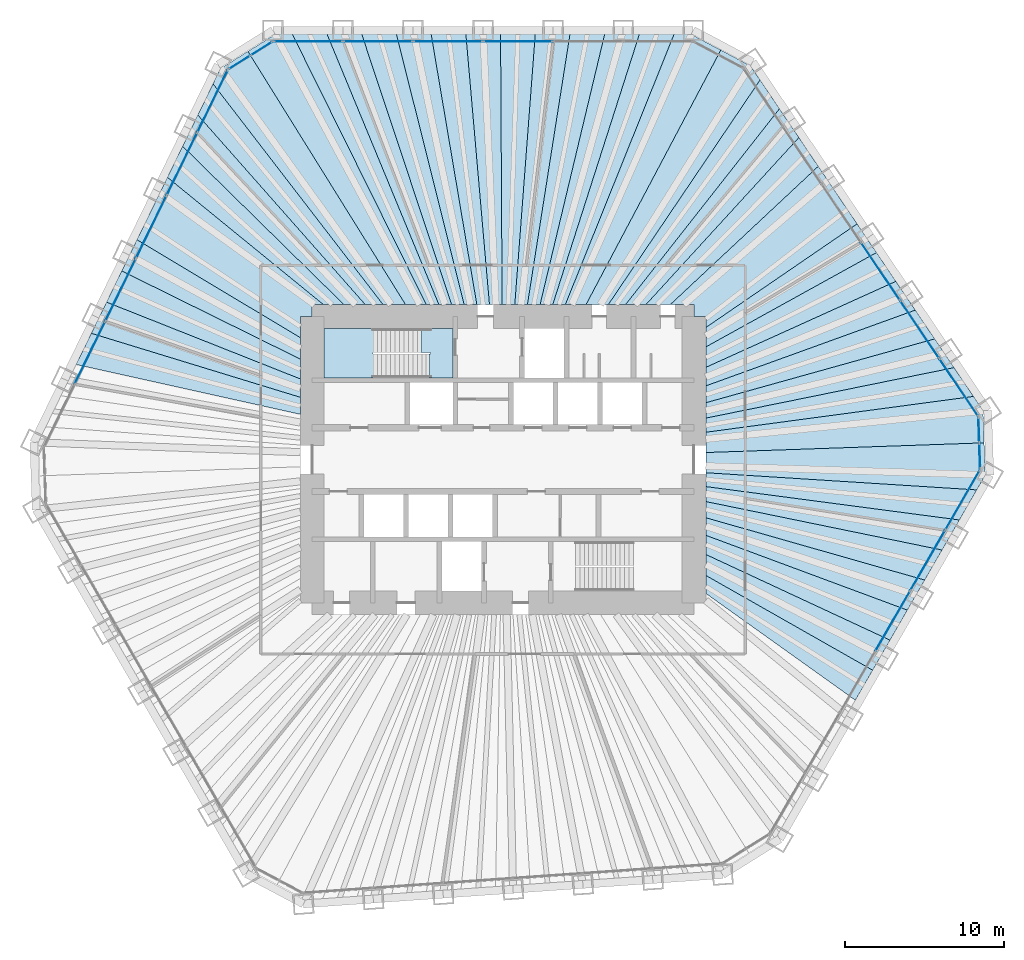
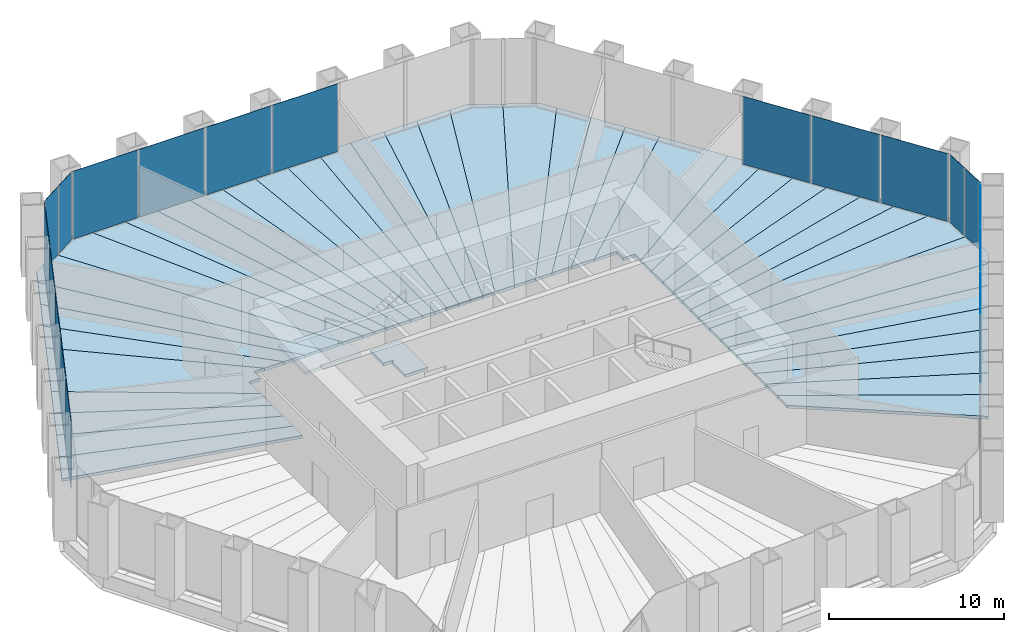
# One storey, part 9 of 13: 44 slabs, 19 plates, 7 elements without a shape of their own.
"""IFC4 building model written with IfcOpenShell, lengths in metres."""

from ifc_helpers import new_model, si_unit, direction, frame, origin, origin_2d, place, context, subcontext, project, spatial, polyline, rectangle, outline, extrude, material, layer, layer_set, type_object, element, aggregate, save


model = new_model("IFC4")

# Units and contexts
model_context = context("Model", 3, precision=1e-05, world=origin(), true_north=direction((0.0, 1.0)))
body_context = subcontext(model_context, "Body", "Model", "MODEL_VIEW")
ifc_project = project(units=[si_unit("LENGTHUNIT", "METRE"), si_unit("AREAUNIT", "SQUARE_METRE"), si_unit("VOLUMEUNIT", "CUBIC_METRE"), si_unit("PLANEANGLEUNIT", "RADIAN"), si_unit("MASSUNIT", "GRAM", prefix="KILO")], contexts=[model_context])

# Site, building, storey
site_placement = place(None, origin())
site = spatial("IfcSite", under=ifc_project, at=site_placement, CompositionType="ELEMENT")
building_placement = place(site_placement, origin())
building = spatial("IfcBuilding", under=site, at=building_placement, Name="Qingtian Harvest Tower", CompositionType="ELEMENT")
storey_placement = place(building_placement, frame((0.0, 0.0, 87.0)))
storey = spatial("IfcBuildingStorey", under=building, at=storey_placement, Name="L17", CompositionType="ELEMENT", Elevation=87.0)

# Slabs
ifc_material_1 = material(Name="Concrete fc' 35 MPa", Category="concrete")
ifc_layer_1 = layer(ifc_material_1, 0.199951171875)
ifc_layer_set_1 = layer_set([ifc_layer_1], Name="Composite floor slab FS20 200")
slab_type_1 = type_object("IfcSlabType", Name="Composite floor slab FS20 200", PredefinedType="FLOOR", material=ifc_layer_set_1)
slab_1_placement = place(storey_placement, frame((0.0, 0.0, -0.199951171875)))
element("IfcSlab", 1, at=slab_1_placement, inside=storey, type_object=slab_type_1, Name="Floor slab L17 panel D32", PredefinedType="FLOOR", context=body_context, shape_type="SweptSolid", body=[
    extrude(outline(polyline([(12.75, -7.279052734375), (23.247802734375, -13.243408203125), (22.159423828125, -15.128662109375), (12.75, -8.4091796875), (12.75, -7.279052734375)])), origin(), (0.0, 0.0, 1.0), 0.199951171875),
])
slab_2_placement = place(storey_placement, frame((0.0, 0.0, -0.199951171875)))
element("IfcSlab", 2, at=slab_2_placement, inside=storey, type_object=slab_type_1, Name="Floor slab L17 panel D33", PredefinedType="FLOOR", context=body_context, shape_type="SweptSolid", body=[
    extrude(outline(polyline([(12.75, -5.96142578125), (24.339111328125, -11.353515625), (23.247802734375, -13.243408203125), (12.75, -7.279052734375), (12.75, -5.96142578125)])), origin(), (0.0, 0.0, 1.0), 0.199951171875),
])
slab_3_placement = place(storey_placement, frame((0.0, 0.0, -0.199951171875)))
element("IfcSlab", 3, at=slab_3_placement, inside=storey, type_object=slab_type_1, Name="Floor slab L17 panel D34", PredefinedType="FLOOR", context=body_context, shape_type="SweptSolid", body=[
    extrude(outline(polyline([(12.75, -4.757080078125), (25.43017578125, -9.46337890625), (24.339111328125, -11.353515625), (12.75, -5.96142578125), (12.75, -4.757080078125)])), origin(), (0.0, 0.0, 1.0), 0.199951171875),
])
slab_4_placement = place(storey_placement, frame((0.0, 0.0, -0.199951171875)))
element("IfcSlab", 4, at=slab_4_placement, inside=storey, type_object=slab_type_1, Name="Floor slab L17 panel D35", PredefinedType="FLOOR", context=body_context, shape_type="SweptSolid", body=[
    extrude(outline(polyline([(12.75, -3.651611328125), (26.521484375, -7.573486328125), (25.43017578125, -9.46337890625), (12.75, -4.757080078125), (12.75, -3.651611328125)])), origin(), (0.0, 0.0, 1.0), 0.199951171875),
])
slab_5_placement = place(storey_placement, frame((0.0, 0.0, -0.199951171875)))
element("IfcSlab", 5, at=slab_5_placement, inside=storey, type_object=slab_type_1, Name="Floor slab L17 panel D36", PredefinedType="FLOOR", context=body_context, shape_type="SweptSolid", body=[
    extrude(outline(polyline([(12.75, -2.634033203125), (27.612548828125, -5.68359375), (26.521484375, -7.573486328125), (12.75, -3.651611328125), (12.75, -2.634033203125)])), origin(), (0.0, 0.0, 1.0), 0.199951171875),
])
slab_6_placement = place(storey_placement, frame((0.0, 0.0, -0.199951171875)))
element("IfcSlab", 6, at=slab_6_placement, inside=storey, type_object=slab_type_1, Name="Floor slab L17 panel D37", PredefinedType="FLOOR", context=body_context, shape_type="SweptSolid", body=[
    extrude(outline(polyline([(12.75, -1.693603515625), (28.703857421875, -3.793701171875), (27.612548828125, -5.68359375), (12.75, -2.634033203125), (12.75, -1.693603515625)])), origin(), (0.0, 0.0, 1.0), 0.199951171875),
])
slab_7_placement = place(storey_placement, frame((0.0, 0.0, -0.199951171875)))
element("IfcSlab", 7, at=slab_7_placement, inside=storey, type_object=slab_type_1, Name="Floor slab L17 panel D38", PredefinedType="FLOOR", context=body_context, shape_type="SweptSolid", body=[
    extrude(outline(polyline([(12.75, -0.822265625), (29.794921875, -1.903564453125), (28.703857421875, -3.793701171875), (12.75, -1.693603515625), (12.75, -0.822265625)])), origin(), (0.0, 0.0, 1.0), 0.199951171875),
])
slab_8_placement = place(storey_placement, frame((0.0, 0.0, -0.199951171875)))
element("IfcSlab", 8, at=slab_8_placement, inside=storey, type_object=slab_type_1, Name="Floor slab L17 panel D39", PredefinedType="FLOOR", context=body_context, shape_type="SweptSolid", body=[
    extrude(outline(polyline([(12.75, -0.822265625), (12.75, 0.447265625), (30.2587890625, 1.056640625), (30.32958984375, -0.9775390625), (29.794921875, -1.903564453125), (12.75, -0.822265625)])), origin(), (0.0, 0.0, 1.0), 0.199951171875),
])
slab_9_placement = place(storey_placement, frame((0.0, 0.0, -0.199951171875)))
element("IfcSlab", 9, at=slab_9_placement, inside=storey, type_object=slab_type_1, Name="Floor slab L17 panel D40", PredefinedType="FLOOR", context=body_context, shape_type="SweptSolid", body=[
    extrude(outline(polyline([(12.75, 0.447265625), (12.75, 1.72265625), (29.589599609375, 3.977294921875), (30.187744140625, 3.0908203125), (30.2587890625, 1.056640625), (12.75, 0.447265625)])), origin(), (0.0, 0.0, 1.0), 0.199951171875),
])
slab_10_placement = place(storey_placement, frame((0.0, 0.0, -0.199951171875)))
element("IfcSlab", 10, at=slab_10_placement, inside=storey, type_object=slab_type_1, Name="Floor slab L17 panel D41", PredefinedType="FLOOR", context=body_context, shape_type="SweptSolid", body=[
    extrude(outline(polyline([(12.75, 2.610595703125), (28.369140625, 5.78662109375), (29.589599609375, 3.977294921875), (12.75, 1.72265625), (12.75, 2.610595703125)])), origin(), (0.0, 0.0, 1.0), 0.199951171875),
])
slab_11_placement = place(storey_placement, frame((0.0, 0.0, -0.199951171875)))
element("IfcSlab", 11, at=slab_11_placement, inside=storey, type_object=slab_type_1, Name="Floor slab L17 panel D42", PredefinedType="FLOOR", context=body_context, shape_type="SweptSolid", body=[
    extrude(outline(polyline([(12.75, 3.57861328125), (27.14892578125, 7.595947265625), (28.369140625, 5.78662109375), (12.75, 2.610595703125), (12.75, 3.57861328125)])), origin(), (0.0, 0.0, 1.0), 0.199951171875),
])
slab_12_placement = place(storey_placement, frame((0.0, 0.0, -0.199951171875)))
element("IfcSlab", 12, at=slab_12_placement, inside=storey, type_object=slab_type_1, Name="Floor slab L17 panel D43", PredefinedType="FLOOR", context=body_context, shape_type="SweptSolid", body=[
    extrude(outline(polyline([(12.75, 4.6376953125), (25.928466796875, 9.405029296875), (27.14892578125, 7.595947265625), (12.75, 3.57861328125), (12.75, 4.6376953125)])), origin(), (0.0, 0.0, 1.0), 0.199951171875),
])
slab_13_placement = place(storey_placement, frame((0.0, 0.0, -0.199951171875)))
element("IfcSlab", 13, at=slab_13_placement, inside=storey, type_object=slab_type_1, Name="Floor slab L17 panel D44", PredefinedType="FLOOR", context=body_context, shape_type="SweptSolid", body=[
    extrude(outline(polyline([(12.75, 5.8017578125), (24.708251953125, 11.21435546875), (25.928466796875, 9.405029296875), (12.75, 4.6376953125), (12.75, 5.8017578125)])), origin(), (0.0, 0.0, 1.0), 0.199951171875),
])
slab_14_placement = place(storey_placement, frame((0.0, 0.0, -0.199951171875)))
element("IfcSlab", 14, at=slab_14_placement, inside=storey, type_object=slab_type_1, Name="Floor slab L17 panel D45", PredefinedType="FLOOR", context=body_context, shape_type="SweptSolid", body=[
    extrude(outline(polyline([(12.75, 7.087158203125), (23.48779296875, 13.023681640625), (24.708251953125, 11.21435546875), (12.75, 5.8017578125), (12.75, 7.087158203125)])), origin(), (0.0, 0.0, 1.0), 0.199951171875),
])
slab_15_placement = place(storey_placement, frame((0.0, 0.0, -0.199951171875)))
element("IfcSlab", 15, at=slab_15_placement, inside=storey, type_object=slab_type_1, Name="Floor slab L17 panel D46", PredefinedType="FLOOR", context=body_context, shape_type="SweptSolid", body=[
    extrude(outline(polyline([(12.75, 8.30615234375), (22.26953125, 14.829833984375), (23.48779296875, 13.023681640625), (12.75, 7.087158203125), (12.75, 8.30615234375)])), origin(), (0.0, 0.0, 1.0), 0.199951171875),
])
slab_16_placement = place(storey_placement, frame((0.0, 0.0, -0.199951171875)))
element("IfcSlab", 16, at=slab_16_placement, inside=storey, type_object=slab_type_1, Name="Floor slab L17 panel D48", PredefinedType="FLOOR", context=body_context, shape_type="SweptSolid", body=[
    extrude(outline(polyline([(19.8271484375, 18.45068359375), (22.26953125, 14.829833984375), (12.75, 8.30615234375), (12.75, 9.0), (12.0, 9.0), (12.0, 9.75), (10.51806640625, 9.75), (19.8271484375, 18.45068359375)])), origin(), (0.0, 0.0, 1.0), 0.199951171875),
])
slab_17_placement = place(storey_placement, frame((0.0, 0.0, -0.199951171875)))
element("IfcSlab", 17, at=slab_17_placement, inside=storey, type_object=slab_type_1, Name="Floor slab L17 panel D49", PredefinedType="FLOOR", context=body_context, shape_type="SweptSolid", body=[
    extrude(outline(polyline([(8.985107421875, 9.75), (18.60693359375, 20.260009765625), (19.8271484375, 18.45068359375), (10.51806640625, 9.75), (8.985107421875, 9.75)])), origin(), (0.0, 0.0, 1.0), 0.199951171875),
])
slab_18_placement = place(storey_placement, frame((0.0, 0.0, -0.199951171875)))
element("IfcSlab", 18, at=slab_18_placement, inside=storey, type_object=slab_type_1, Name="Floor slab L17 panel D50", PredefinedType="FLOOR", context=body_context, shape_type="SweptSolid", body=[
    extrude(outline(polyline([(7.705078125, 9.75), (17.386474609375, 22.0693359375), (18.60693359375, 20.260009765625), (8.985107421875, 9.75), (7.705078125, 9.75)])), origin(), (0.0, 0.0, 1.0), 0.199951171875),
])
slab_19_placement = place(storey_placement, frame((0.0, 0.0, -0.199951171875)))
element("IfcSlab", 19, at=slab_19_placement, inside=storey, type_object=slab_type_1, Name="Floor slab L17 panel D51", PredefinedType="FLOOR", context=body_context, shape_type="SweptSolid", body=[
    extrude(outline(polyline([(6.61962890625, 9.75), (16.166015625, 23.87841796875), (17.386474609375, 22.0693359375), (7.705078125, 9.75), (6.61962890625, 9.75)])), origin(), (0.0, 0.0, 1.0), 0.199951171875),
])
slab_20_placement = place(storey_placement, frame((0.0, 0.0, -0.199951171875)))
element("IfcSlab", 20, at=slab_20_placement, inside=storey, type_object=slab_type_1, Name="Floor slab L17 panel D52", PredefinedType="FLOOR", context=body_context, shape_type="SweptSolid", body=[
    extrude(outline(polyline([(6.61962890625, 9.75), (5.21875, 9.75), (13.697265625, 25.760009765625), (15.56787109375, 24.765380859375), (16.166015625, 23.87841796875), (6.61962890625, 9.75)])), origin(), (0.0, 0.0, 1.0), 0.199951171875),
])
slab_21_placement = place(storey_placement, frame((0.0, 0.0, -0.199951171875)))
element("IfcSlab", 21, at=slab_21_placement, inside=storey, type_object=slab_type_1, Name="Floor slab L17 panel D53", PredefinedType="FLOOR", context=body_context, shape_type="SweptSolid", body=[
    extrude(outline(polyline([(3.919921875, 9.75), (10.756591796875, 26.7548828125), (11.825927734375, 26.7548828125), (13.697265625, 25.760009765625), (5.21875, 9.75), (3.919921875, 9.75)])), origin(), (0.0, 0.0, 1.0), 0.199951171875),
])
slab_22_placement = place(storey_placement, frame((0.0, 0.0, -0.199951171875)))
element("IfcSlab", 22, at=slab_22_placement, inside=storey, type_object=slab_type_1, Name="Floor slab L17 panel D54", PredefinedType="FLOOR", context=body_context, shape_type="SweptSolid", body=[
    extrude(outline(polyline([(3.12451171875, 9.75), (8.57421875, 26.7548828125), (10.756591796875, 26.7548828125), (3.919921875, 9.75), (3.12451171875, 9.75)])), origin(), (0.0, 0.0, 1.0), 0.199951171875),
])
slab_23_placement = place(storey_placement, frame((0.0, 0.0, -0.199951171875)))
element("IfcSlab", 23, at=slab_23_placement, inside=storey, type_object=slab_type_1, Name="Floor slab L17 panel D55", PredefinedType="FLOOR", context=body_context, shape_type="SweptSolid", body=[
    extrude(outline(polyline([(2.329345703125, 9.75), (6.391845703125, 26.7548828125), (8.57421875, 26.7548828125), (3.12451171875, 9.75), (2.329345703125, 9.75)])), origin(), (0.0, 0.0, 1.0), 0.199951171875),
])
slab_24_placement = place(storey_placement, frame((0.0, 0.0, -0.199951171875)))
element("IfcSlab", 24, at=slab_24_placement, inside=storey, type_object=slab_type_1, Name="Floor slab L17 panel D56", PredefinedType="FLOOR", context=body_context, shape_type="SweptSolid", body=[
    extrude(outline(polyline([(1.533935546875, 9.75), (4.20947265625, 26.7548828125), (6.391845703125, 26.7548828125), (2.329345703125, 9.75), (1.533935546875, 9.75)])), origin(), (0.0, 0.0, 1.0), 0.199951171875),
])
slab_25_placement = place(storey_placement, frame((0.0, 0.0, -0.199951171875)))
element("IfcSlab", 25, at=slab_25_placement, inside=storey, type_object=slab_type_1, Name="Floor slab L17 panel D57", PredefinedType="FLOOR", context=body_context, shape_type="SweptSolid", body=[
    extrude(outline(polyline([(0.73876953125, 9.75), (2.02734375, 26.7548828125), (4.20947265625, 26.7548828125), (1.533935546875, 9.75), (0.73876953125, 9.75)])), origin(), (0.0, 0.0, 1.0), 0.199951171875),
])
slab_26_placement = place(storey_placement, frame((0.0, 0.0, -0.199951171875)))
element("IfcSlab", 26, at=slab_26_placement, inside=storey, type_object=slab_type_1, Name="Floor slab L17 panel D58", PredefinedType="FLOOR", context=body_context, shape_type="SweptSolid", body=[
    extrude(outline(polyline([(-0.056396484375, 9.75), (-0.155029296875, 26.7548828125), (2.02734375, 26.7548828125), (0.73876953125, 9.75), (-0.056396484375, 9.75)])), origin(), (0.0, 0.0, 1.0), 0.199951171875),
])
slab_27_placement = place(storey_placement, frame((0.0, 0.0, -0.199951171875)))
element("IfcSlab", 27, at=slab_27_placement, inside=storey, type_object=slab_type_1, Name="Floor slab L17 panel D59", PredefinedType="FLOOR", context=body_context, shape_type="SweptSolid", body=[
    extrude(outline(polyline([(-0.851806640625, 9.75), (-2.33740234375, 26.7548828125), (-0.155029296875, 26.7548828125), (-0.056396484375, 9.75), (-0.851806640625, 9.75)])), origin(), (0.0, 0.0, 1.0), 0.199951171875),
])
slab_28_placement = place(storey_placement, frame((0.0, 0.0, -0.199951171875)))
element("IfcSlab", 28, at=slab_28_placement, inside=storey, type_object=slab_type_1, Name="Floor slab L17 panel D60", PredefinedType="FLOOR", context=body_context, shape_type="SweptSolid", body=[
    extrude(outline(polyline([(-1.64697265625, 9.75), (-4.519775390625, 26.7548828125), (-2.33740234375, 26.7548828125), (-0.851806640625, 9.75), (-1.64697265625, 9.75)])), origin(), (0.0, 0.0, 1.0), 0.199951171875),
])
slab_29_placement = place(storey_placement, frame((0.0, 0.0, -0.199951171875)))
element("IfcSlab", 29, at=slab_29_placement, inside=storey, type_object=slab_type_1, Name="Floor slab L17 panel D61", PredefinedType="FLOOR", context=body_context, shape_type="SweptSolid", body=[
    extrude(outline(polyline([(-2.4423828125, 9.75), (-6.7021484375, 26.7548828125), (-4.519775390625, 26.7548828125), (-1.64697265625, 9.75), (-2.4423828125, 9.75)])), origin(), (0.0, 0.0, 1.0), 0.199951171875),
])
slab_30_placement = place(storey_placement, frame((0.0, 0.0, -0.199951171875)))
element("IfcSlab", 30, at=slab_30_placement, inside=storey, type_object=slab_type_1, Name="Floor slab L17 panel D62", PredefinedType="FLOOR", context=body_context, shape_type="SweptSolid", body=[
    extrude(outline(polyline([(-3.237548828125, 9.75), (-8.88427734375, 26.7548828125), (-6.7021484375, 26.7548828125), (-2.4423828125, 9.75), (-3.237548828125, 9.75)])), origin(), (0.0, 0.0, 1.0), 0.199951171875),
])
slab_31_placement = place(storey_placement, frame((0.0, 0.0, -0.199951171875)))
element("IfcSlab", 31, at=slab_31_placement, inside=storey, type_object=slab_type_1, Name="Floor slab L17 panel D63", PredefinedType="FLOOR", context=body_context, shape_type="SweptSolid", body=[
    extrude(outline(polyline([(-4.032958984375, 9.75), (-11.066650390625, 26.7548828125), (-8.88427734375, 26.7548828125), (-3.237548828125, 9.75), (-4.032958984375, 9.75)])), origin(), (0.0, 0.0, 1.0), 0.199951171875),
])
slab_32_placement = place(storey_placement, frame((0.0, 0.0, -0.199951171875)))
element("IfcSlab", 32, at=slab_32_placement, inside=storey, type_object=slab_type_1, Name="Floor slab L17 panel D64", PredefinedType="FLOOR", context=body_context, shape_type="SweptSolid", body=[
    extrude(outline(polyline([(-4.828125, 9.75), (-13.2490234375, 26.7548828125), (-11.066650390625, 26.7548828125), (-4.032958984375, 9.75), (-4.828125, 9.75)])), origin(), (0.0, 0.0, 1.0), 0.199951171875),
])
slab_33_placement = place(storey_placement, frame((0.0, 0.0, -0.199951171875)))
element("IfcSlab", 33, at=slab_33_placement, inside=storey, type_object=slab_type_1, Name="Floor slab L17 panel D65", PredefinedType="FLOOR", context=body_context, shape_type="SweptSolid", body=[
    extrude(outline(polyline([(-4.828125, 9.75), (-6.130126953125, 9.75), (-16.044921875, 25.67626953125), (-14.318359375, 26.7548828125), (-13.2490234375, 26.7548828125), (-4.828125, 9.75)])), origin(), (0.0, 0.0, 1.0), 0.199951171875),
])
slab_34_placement = place(storey_placement, frame((0.0, 0.0, -0.199951171875)))
element("IfcSlab", 34, at=slab_34_placement, inside=storey, type_object=slab_type_1, Name="Floor slab L17 panel D66", PredefinedType="FLOOR", context=body_context, shape_type="SweptSolid", body=[
    extrude(outline(polyline([(-6.130126953125, 9.75), (-7.544677734375, 9.75), (-18.239501953125, 23.636474609375), (-17.7705078125, 24.597900390625), (-16.044921875, 25.67626953125), (-6.130126953125, 9.75)])), origin(), (0.0, 0.0, 1.0), 0.199951171875),
])
slab_35_placement = place(storey_placement, frame((0.0, 0.0, -0.199951171875)))
element("IfcSlab", 35, at=slab_35_placement, inside=storey, type_object=slab_type_1, Name="Floor slab L17 panel D67", PredefinedType="FLOOR", context=body_context, shape_type="SweptSolid", body=[
    extrude(outline(polyline([(-8.662109375, 9.75), (-19.196044921875, 21.675048828125), (-18.239501953125, 23.636474609375), (-7.544677734375, 9.75), (-8.662109375, 9.75)])), origin(), (0.0, 0.0, 1.0), 0.199951171875),
])
slab_36_placement = place(storey_placement, frame((0.0, 0.0, -0.199951171875)))
element("IfcSlab", 36, at=slab_36_placement, inside=storey, type_object=slab_type_1, Name="Floor slab L17 panel D68", PredefinedType="FLOOR", context=body_context, shape_type="SweptSolid", body=[
    extrude(outline(polyline([(-10.00341796875, 9.75), (-20.15283203125, 19.71337890625), (-19.196044921875, 21.675048828125), (-8.662109375, 9.75), (-10.00341796875, 9.75)])), origin(), (0.0, 0.0, 1.0), 0.199951171875),
])
slab_37_placement = place(storey_placement, frame((0.0, 0.0, -0.199951171875)))
element("IfcSlab", 37, at=slab_37_placement, inside=storey, type_object=slab_type_1, Name="Floor slab L17 panel D69", PredefinedType="FLOOR", context=body_context, shape_type="SweptSolid", body=[
    extrude(outline(polyline([(-11.2939453125, 9.75), (-21.107666015625, 17.755859375), (-20.15283203125, 19.71337890625), (-10.00341796875, 9.75), (-11.2939453125, 9.75)])), origin(), (0.0, 0.0, 1.0), 0.199951171875),
])
slab_38_placement = place(storey_placement, frame((0.0, 0.0, -0.199951171875)))
element("IfcSlab", 38, at=slab_38_placement, inside=storey, type_object=slab_type_1, Name="Floor slab L17 panel D70", PredefinedType="FLOOR", context=body_context, shape_type="SweptSolid", body=[
    extrude(outline(polyline([(-12.0, 9.0), (-12.75, 9.0), (-12.75, 7.67333984375), (-23.0224609375, 13.82958984375), (-21.107666015625, 17.755859375), (-11.2939453125, 9.75), (-12.0, 9.75), (-12.0, 9.0)])), origin(), (0.0, 0.0, 1.0), 0.199951171875),
])
slab_39_placement = place(storey_placement, frame((0.0, 0.0, -0.199951171875)))
element("IfcSlab", 39, at=slab_39_placement, inside=storey, type_object=slab_type_1, Name="Floor slab L17 panel D72", PredefinedType="FLOOR", context=body_context, shape_type="SweptSolid", body=[
    extrude(outline(polyline([(-12.75, 6.3232421875), (-23.979248046875, 11.8681640625), (-23.0224609375, 13.82958984375), (-12.75, 7.67333984375), (-12.75, 6.3232421875)])), origin(), (0.0, 0.0, 1.0), 0.199951171875),
])
slab_40_placement = place(storey_placement, frame((0.0, 0.0, -0.199951171875)))
element("IfcSlab", 40, at=slab_40_placement, inside=storey, type_object=slab_type_1, Name="Floor slab L17 panel D73", PredefinedType="FLOOR", context=body_context, shape_type="SweptSolid", body=[
    extrude(outline(polyline([(-12.75, 5.076904296875), (-24.935791015625, 9.90673828125), (-23.979248046875, 11.8681640625), (-12.75, 6.3232421875), (-12.75, 5.076904296875)])), origin(), (0.0, 0.0, 1.0), 0.199951171875),
])
slab_41_placement = place(storey_placement, frame((0.0, 0.0, -0.199951171875)))
element("IfcSlab", 41, at=slab_41_placement, inside=storey, type_object=slab_type_1, Name="Floor slab L17 panel D74", PredefinedType="FLOOR", context=body_context, shape_type="SweptSolid", body=[
    extrude(outline(polyline([(-12.75, 3.922607421875), (-25.892578125, 7.9453125), (-24.935791015625, 9.90673828125), (-12.75, 5.076904296875), (-12.75, 3.922607421875)])), origin(), (0.0, 0.0, 1.0), 0.199951171875),
])
slab_42_placement = place(storey_placement, frame((0.0, 0.0, -0.199951171875)))
element("IfcSlab", 42, at=slab_42_placement, inside=storey, type_object=slab_type_1, Name="Floor slab L17 panel D75", PredefinedType="FLOOR", context=body_context, shape_type="SweptSolid", body=[
    extrude(outline(polyline([(-12.75, 2.8505859375), (-26.84912109375, 5.98388671875), (-25.892578125, 7.9453125), (-12.75, 3.922607421875), (-12.75, 2.8505859375)])), origin(), (0.0, 0.0, 1.0), 0.199951171875),
])

# Curtain wall, plates
ifc_material_2 = material(Name="Bronze-anodised aluminium curtain wall", Category="aluminium")
curtain_wall_type = type_object("IfcCurtainWallType", Name="Curtain wall CW2 farm reception", PredefinedType="USERDEFINED", material=ifc_material_2)
curtain_wall_1_placement = place(storey_placement, origin())
curtain_wall_1 = element("IfcCurtainWall", 43, at=curtain_wall_1_placement, inside=storey, type_object=curtain_wall_type, Name="Curtain wall CW2 L17 N0-5", ObjectType="RECESSED CURTAIN WALL", PredefinedType="USERDEFINED")
ifc_material_3 = material(Name="Bronze-tinted laminated insulating glass", Category="glass")
ifc_layer_2 = layer(ifc_material_3, 0.030029296875)
ifc_layer_set_2 = layer_set([ifc_layer_2], Name="Glazed panel CWP tinted IGU")
plate_type = type_object("IfcPlateType", Name="Glazed panel CWP tinted IGU", PredefinedType="CURTAIN_PANEL", material=ifc_layer_set_2)
plate_1_placement = place(storey_placement, frame((-12.2529296875, 26.300048828125, 0.06494140625), z_axis=(0.0, 0.0, 1.0), x_axis=(1.0, 0.0, 0.0)))
plate_1 = element("IfcPlate", 44, at=plate_1_placement, type_object=plate_type, Name="CW2 panel 1.1", PredefinedType="CURTAIN_PANEL", context=body_context, shape_type="SweptSolid", body=[
    extrude(rectangle(XDim=4.30712890625, YDim=0.030029296875, at=origin_2d()), origin(), (0.0, 0.0, 1.0), 4.735107421875),
])
plate_2_placement = place(storey_placement, frame((-7.864501953125, 26.300048828125, 0.06494140625), z_axis=(0.0, 0.0, 1.0), x_axis=(1.0, 0.0, 0.0)))
plate_2 = element("IfcPlate", 45, at=plate_2_placement, type_object=plate_type, Name="CW2 panel 2.1", PredefinedType="CURTAIN_PANEL", context=body_context, shape_type="SweptSolid", body=[
    extrude(rectangle(XDim=4.339599609375, YDim=0.030029296875, at=origin_2d()), origin(), (0.0, 0.0, 1.0), 4.735107421875),
])
plate_3_placement = place(storey_placement, frame((-3.4599609375, 26.300048828125, 0.06494140625), z_axis=(0.0, 0.0, 1.0), x_axis=(1.0, 0.0, 0.0)))
plate_3 = element("IfcPlate", 46, at=plate_3_placement, type_object=plate_type, Name="CW2 panel 3.1", PredefinedType="CURTAIN_PANEL", context=body_context, shape_type="SweptSolid", body=[
    extrude(rectangle(XDim=4.339599609375, YDim=0.030029296875, at=origin_2d()), origin(), (0.0, 0.0, 1.0), 4.735107421875),
])
plate_4_placement = place(storey_placement, frame((0.944580078125, 26.300048828125, 0.06494140625), z_axis=(0.0, 0.0, 1.0), x_axis=(1.0, 0.0, 0.0)))
plate_4 = element("IfcPlate", 47, at=plate_4_placement, type_object=plate_type, Name="CW2 panel 4.1", PredefinedType="CURTAIN_PANEL", context=body_context, shape_type="SweptSolid", body=[
    extrude(rectangle(XDim=4.339599609375, YDim=0.030029296875, at=origin_2d()), origin(), (0.0, 0.0, 1.0), 4.735107421875),
])
aggregate(curtain_wall_1, [plate_1, plate_2, plate_3, plate_4])

curtain_wall_2_placement = place(storey_placement, origin())
curtain_wall_2 = element("IfcCurtainWall", 48, at=curtain_wall_2_placement, inside=storey, type_object=curtain_wall_type, Name="Curtain wall CW2 L17 NE0-5", ObjectType="RECESSED CURTAIN WALL", PredefinedType="USERDEFINED")
plate_5_placement = place(storey_placement, frame((23.738525390625, 11.83837890625, 0.06494140625), z_axis=(0.0, 0.0, 1.0), x_axis=(0.559192903471, -0.829037572555, 0.0)))
plate_5 = element("IfcPlate", 49, at=plate_5_placement, type_object=plate_type, Name="CW2 panel 4.1", PredefinedType="CURTAIN_PANEL", context=body_context, shape_type="SweptSolid", body=[
    extrude(rectangle(XDim=4.339599609375, YDim=0.030029296875, at=origin_2d()), origin(), (0.0, 0.0, 1.0), 4.735107421875),
])
plate_6_placement = place(storey_placement, frame((26.201416015625, 8.186767578125, 0.06494140625), z_axis=(0.0, 0.0, 1.0), x_axis=(0.559192903471, -0.829037572555, 0.0)))
plate_6 = element("IfcPlate", 50, at=plate_6_placement, type_object=plate_type, Name="CW2 panel 5.1", PredefinedType="CURTAIN_PANEL", context=body_context, shape_type="SweptSolid", body=[
    extrude(rectangle(XDim=4.339599609375, YDim=0.030029296875, at=origin_2d()), origin(), (0.0, 0.0, 1.0), 4.735107421875),
])
plate_7_placement = place(storey_placement, frame((28.655517578125, 4.548583984375, 0.06494140625), z_axis=(0.0, 0.0, 1.0), x_axis=(0.559192903471, -0.829037572555, 0.0)))
plate_7 = element("IfcPlate", 51, at=plate_7_placement, type_object=plate_type, Name="CW2 panel 6.1", PredefinedType="CURTAIN_PANEL", context=body_context, shape_type="SweptSolid", body=[
    extrude(rectangle(XDim=4.30712890625, YDim=0.030029296875, at=origin_2d()), origin(), (0.0, 0.0, 1.0), 4.735107421875),
])
aggregate(curtain_wall_2, [plate_5, plate_6, plate_7])

curtain_wall_3_placement = place(storey_placement, origin())
curtain_wall_3 = element("IfcCurtainWall", 52, at=curtain_wall_3_placement, inside=storey, type_object=curtain_wall_type, Name="Curtain wall CW2 L17 NEC", ObjectType="RECESSED CURTAIN WALL", PredefinedType="USERDEFINED")
plate_8_placement = place(storey_placement, frame((29.925537109375, 1.861572265625, 0.06494140625), z_axis=(0.0, 0.0, 1.0), x_axis=(0.034899496703, -0.999390827019, 0.0)))
plate_8 = element("IfcPlate", 53, at=plate_8_placement, type_object=plate_type, Name="CW2 panel 1.1", PredefinedType="CURTAIN_PANEL", context=body_context, shape_type="SweptSolid", body=[
    extrude(rectangle(XDim=1.56689453125, YDim=0.030029296875, at=origin_2d()), origin(), (0.0, 0.0, 1.0), 4.735107421875),
])
plate_9_placement = place(storey_placement, frame((29.982666015625, 0.23046875, 0.06494140625), z_axis=(0.0, 0.0, 1.0), x_axis=(0.034899496703, -0.999390827019, 0.0)))
plate_9 = element("IfcPlate", 54, at=plate_9_placement, type_object=plate_type, Name="CW2 panel 2.1", PredefinedType="CURTAIN_PANEL", context=body_context, shape_type="SweptSolid", body=[
    extrude(rectangle(XDim=1.56689453125, YDim=0.030029296875, at=origin_2d()), origin(), (0.0, 0.0, 1.0), 4.735107421875),
])
aggregate(curtain_wall_3, [plate_8, plate_9])

curtain_wall_4_placement = place(storey_placement, origin())
curtain_wall_4 = element("IfcCurtainWall", 55, at=curtain_wall_4_placement, inside=storey, type_object=curtain_wall_type, Name="Curtain wall CW2 L17 SE0-5", ObjectType="RECESSED CURTAIN WALL", PredefinedType="USERDEFINED")
plate_10_placement = place(storey_placement, frame((28.90283203125, -2.53857421875, 0.06494140625), z_axis=(0.0, 0.0, 1.0), x_axis=(-0.5, -0.866025403784, 0.0)))
plate_10 = element("IfcPlate", 56, at=plate_10_placement, type_object=plate_type, Name="CW2 panel 1.1", PredefinedType="CURTAIN_PANEL", context=body_context, shape_type="SweptSolid", body=[
    extrude(rectangle(XDim=4.30712890625, YDim=0.030029296875, at=origin_2d()), origin(), (0.0, 0.0, 1.0), 4.735107421875),
])
plate_11_placement = place(storey_placement, frame((26.708740234375, -6.339111328125, 0.06494140625), z_axis=(0.0, 0.0, 1.0), x_axis=(-0.5, -0.866025403784, 0.0)))
plate_11 = element("IfcPlate", 57, at=plate_11_placement, type_object=plate_type, Name="CW2 panel 2.1", PredefinedType="CURTAIN_PANEL", context=body_context, shape_type="SweptSolid", body=[
    extrude(rectangle(XDim=4.339599609375, YDim=0.030029296875, at=origin_2d()), origin(), (0.0, 0.0, 1.0), 4.735107421875),
])
plate_12_placement = place(storey_placement, frame((24.50634765625, -10.153564453125, 0.06494140625), z_axis=(0.0, 0.0, 1.0), x_axis=(-0.5, -0.866025403784, 0.0)))
plate_12 = element("IfcPlate", 58, at=plate_12_placement, type_object=plate_type, Name="CW2 panel 3.1", PredefinedType="CURTAIN_PANEL", context=body_context, shape_type="SweptSolid", body=[
    extrude(rectangle(XDim=4.339599609375, YDim=0.030029296875, at=origin_2d()), origin(), (0.0, 0.0, 1.0), 4.735107421875),
])
aggregate(curtain_wall_4, [plate_10, plate_11, plate_12])

curtain_wall_5_placement = place(storey_placement, origin())
curtain_wall_5 = element("IfcCurtainWall", 59, at=curtain_wall_5_placement, inside=storey, type_object=curtain_wall_type, Name="Curtain wall CW2 L17 NW0-5", ObjectType="RECESSED CURTAIN WALL", PredefinedType="USERDEFINED")
plate_13_placement = place(storey_placement, frame((-25.983154296875, 6.72119140625, 0.06494140625), z_axis=(0.0, 0.0, 1.0), x_axis=(0.438371146789, 0.898794046299, 0.0)))
plate_13 = element("IfcPlate", 60, at=plate_13_placement, type_object=plate_type, Name="CW2 panel 2.1", PredefinedType="CURTAIN_PANEL", context=body_context, shape_type="SweptSolid", body=[
    extrude(rectangle(XDim=4.339599609375, YDim=0.030029296875, at=origin_2d()), origin(), (0.0, 0.0, 1.0), 4.735107421875),
])
plate_14_placement = place(storey_placement, frame((-24.052490234375, 10.68017578125, 0.06494140625), z_axis=(0.0, 0.0, 1.0), x_axis=(0.438371146789, 0.898794046299, 0.0)))
plate_14 = element("IfcPlate", 61, at=plate_14_placement, type_object=plate_type, Name="CW2 panel 3.1", PredefinedType="CURTAIN_PANEL", context=body_context, shape_type="SweptSolid", body=[
    extrude(rectangle(XDim=4.339599609375, YDim=0.030029296875, at=origin_2d()), origin(), (0.0, 0.0, 1.0), 4.735107421875),
])
plate_15_placement = place(storey_placement, frame((-22.12158203125, 14.638916015625, 0.06494140625), z_axis=(0.0, 0.0, 1.0), x_axis=(0.438371146789, 0.898794046299, 0.0)))
plate_15 = element("IfcPlate", 62, at=plate_15_placement, type_object=plate_type, Name="CW2 panel 4.1", PredefinedType="CURTAIN_PANEL", context=body_context, shape_type="SweptSolid", body=[
    extrude(rectangle(XDim=4.339599609375, YDim=0.030029296875, at=origin_2d()), origin(), (0.0, 0.0, 1.0), 4.735107421875),
])
plate_16_placement = place(storey_placement, frame((-20.190673828125, 18.597900390625, 0.06494140625), z_axis=(0.0, 0.0, 1.0), x_axis=(0.438371146789, 0.898794046299, 0.0)))
plate_16 = element("IfcPlate", 63, at=plate_16_placement, type_object=plate_type, Name="CW2 panel 5.1", PredefinedType="CURTAIN_PANEL", context=body_context, shape_type="SweptSolid", body=[
    extrude(rectangle(XDim=4.339599609375, YDim=0.030029296875, at=origin_2d()), origin(), (0.0, 0.0, 1.0), 4.735107421875),
])
plate_17_placement = place(storey_placement, frame((-18.266845703125, 22.5419921875, 0.06494140625), z_axis=(0.0, 0.0, 1.0), x_axis=(0.438371146789, 0.898794046299, 0.0)))
plate_17 = element("IfcPlate", 64, at=plate_17_placement, type_object=plate_type, Name="CW2 panel 6.1", PredefinedType="CURTAIN_PANEL", context=body_context, shape_type="SweptSolid", body=[
    extrude(rectangle(XDim=4.30712890625, YDim=0.030029296875, at=origin_2d()), origin(), (0.0, 0.0, 1.0), 4.735107421875),
])
aggregate(curtain_wall_5, [plate_13, plate_14, plate_15, plate_16, plate_17])

curtain_wall_6_placement = place(storey_placement, origin())
curtain_wall_6 = element("IfcCurtainWall", 65, at=curtain_wall_6_placement, inside=storey, type_object=curtain_wall_type, Name="Curtain wall CW2 L17 NWC", ObjectType="RECESSED CURTAIN WALL", PredefinedType="USERDEFINED")
plate_18_placement = place(storey_placement, frame((-16.574951171875, 24.985595703125, 0.06494140625), z_axis=(0.0, 0.0, 1.0), x_axis=(0.848048096156, 0.529919264233, 0.0)))
plate_18 = element("IfcPlate", 66, at=plate_18_placement, type_object=plate_type, Name="CW2 panel 1.1", PredefinedType="CURTAIN_PANEL", context=body_context, shape_type="SweptSolid", body=[
    extrude(rectangle(XDim=1.56689453125, YDim=0.030029296875, at=origin_2d()), origin(), (0.0, 0.0, 1.0), 4.735107421875),
])
plate_19_placement = place(storey_placement, frame((-15.19091796875, 25.850341796875, 0.06494140625), z_axis=(0.0, 0.0, 1.0), x_axis=(0.848048096156, 0.529919264233, 0.0)))
plate_19 = element("IfcPlate", 67, at=plate_19_placement, type_object=plate_type, Name="CW2 panel 2.1", PredefinedType="CURTAIN_PANEL", context=body_context, shape_type="SweptSolid", body=[
    extrude(rectangle(XDim=1.56689453125, YDim=0.030029296875, at=origin_2d()), origin(), (0.0, 0.0, 1.0), 4.735107421875),
])
aggregate(curtain_wall_6, [plate_18, plate_19])

# Stair, slabs
ifc_material_4 = material(Name="Concrete fc' 35 MPa", Category="concrete")
stair_type = type_object("IfcStairType", Name="Special stair ST2 5000", PredefinedType="HALF_TURN_STAIR", material=ifc_material_4)
stair_placement = place(storey_placement, origin())
stair = element("IfcStair", 68, at=stair_placement, inside=storey, type_object=stair_type, Name="Special stair S1 L17", PredefinedType="HALF_TURN_STAIR")
ifc_material_5 = material(Name="Concrete fc' 35 MPa", Category="concrete")
ifc_layer_3 = layer(ifc_material_5, 0.199951171875)
ifc_layer_set_3 = layer_set([ifc_layer_3], Name="Stair landing SL2 200")
slab_type_2 = type_object("IfcSlabType", Name="Stair landing SL2 200", PredefinedType="LANDING", material=ifc_layer_set_3)
slab_43_placement = place(storey_placement, frame((0.0, 0.0, -0.199951171875)))
slab_43 = element("IfcSlab", 69, at=slab_43_placement, type_object=slab_type_2, Name="S1 landing 1", PredefinedType="LANDING", context=body_context, shape_type="SweptSolid", body=[
    extrude(outline(polyline([(-4.64990234375, 5.14990234375), (-4.64990234375, 6.64990234375), (-4.550048828125, 6.64990234375), (-4.550048828125, 6.75), (-5.155029296875, 6.75), (-5.155029296875, 8.25), (-3.14990234375, 8.25), (-3.14990234375, 5.14990234375), (-4.64990234375, 5.14990234375)])), origin(), (0.0, 0.0, 1.0), 0.199951171875),
])
slab_44_placement = place(storey_placement, frame((0.0, 0.0, 2.300048828125)))
slab_44 = element("IfcSlab", 70, at=slab_44_placement, type_object=slab_type_2, Name="S1 landing 2", PredefinedType="LANDING", context=body_context, shape_type="SweptSolid", body=[
    extrude(outline(polyline([(-7.5849609375, 5.14990234375), (-11.25, 5.14990234375), (-11.25, 8.25), (-8.090087890625, 8.25), (-8.090087890625, 6.75), (-8.18994140625, 6.75), (-8.18994140625, 6.64990234375), (-7.5849609375, 6.64990234375), (-7.5849609375, 5.14990234375)])), origin(), (0.0, 0.0, 1.0), 0.199951171875),
])
aggregate(stair, [slab_43, slab_44])

save(model, "model.ifc")
